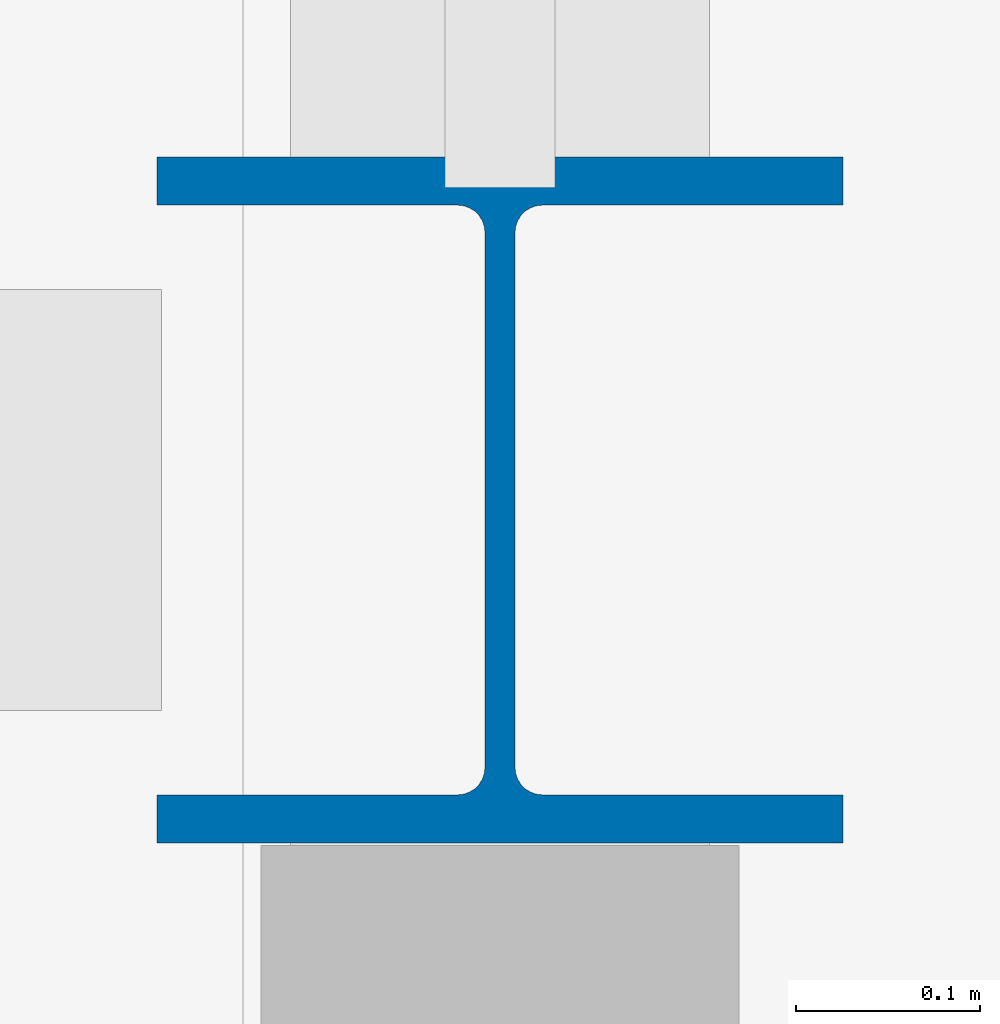
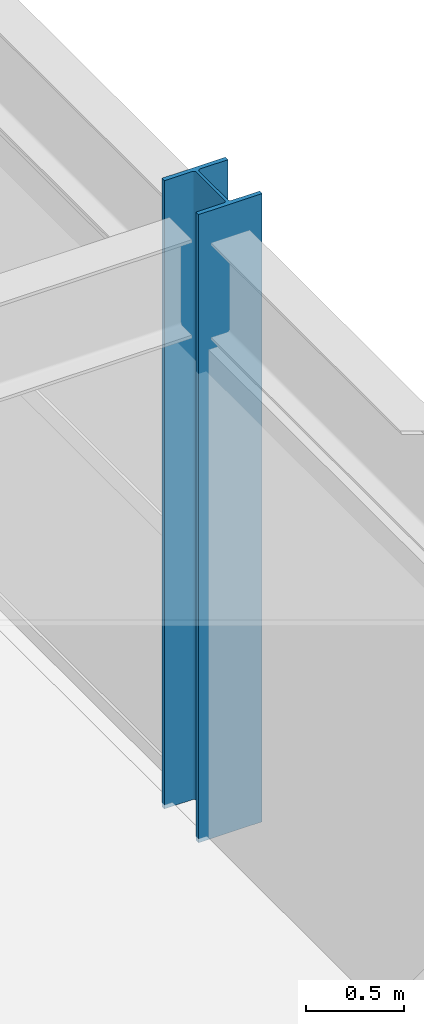
# One storey, part 13 of 93: 1 column.
"""IFC4 building model written with IfcOpenShell, lengths in metres."""

import ifcopenshell
import ifcopenshell.guid

model = None  # the IFC model being written
_history = None  # IfcOwnerHistory: only IFC2X3 demands one
_inside = {}  # id of a spatial element -> (the spatial element, [elements in it])
_under = {}  # id of a project, library or spatial element -> (it, [spatial elements below it])
_declared = {}  # id of a project -> (the project, [libraries it declares])
_typed = {}  # id of a type object -> (the type object, [elements of that type])
_made_of = {}  # id of a material, layer set ... -> (it, [elements and type objects made of it])


def new_model(schema):
    """Start an empty IFC model of exactly this schema.

    Asked for "IFC4X3", IfcOpenShell would pick the latest addendum, in which some entities
    have other attributes; the version numbers below select the first issue.
    IFC2X3 requires an IfcOwnerHistory on every rooted entity: one is made here for all.
    """
    global model, _history
    if schema == "IFC4X3":
        model = ifcopenshell.file(schema_version=(4, 3, 0, 0))
    else:
        model = ifcopenshell.file(schema=schema)
    _inside.clear()
    _under.clear()
    _declared.clear()
    _typed.clear()
    _made_of.clear()
    _history = None
    if model.schema == "IFC2X3":
        org = make("IfcOrganization", Name="unknown")
        user = make(
            "IfcPersonAndOrganization",
            ThePerson=make("IfcPerson", FamilyName="unknown"),
            TheOrganization=org,
        )
        app = make(
            "IfcApplication",
            ApplicationDeveloper=org,
            Version="unknown",
            ApplicationFullName="unknown",
            ApplicationIdentifier="unknown",
        )
        _history = make(
            "IfcOwnerHistory",
            OwningUser=user,
            OwningApplication=app,
            ChangeAction="ADDED",
            CreationDate=0,
        )
    return model


def make(cls, **values):
    """One entity of the class cls with the attributes given. An attribute that is None is left unset."""
    return model.create_entity(
        cls, **{name: value for name, value in values.items() if value is not None}
    )


def rooted(cls, **values):
    """An entity with a GlobalId (a new one), such as an element, a storey or a relation."""
    return make(cls, GlobalId=ifcopenshell.guid.new(), OwnerHistory=_history, **values)


def si_unit(unit_type, name, prefix=None):
    """IfcSIUnit, for example si_unit("LENGTHUNIT", "METRE", prefix="MILLI")."""
    return make("IfcSIUnit", UnitType=unit_type, Prefix=prefix, Name=name)


def assignment(units):
    """IfcUnitAssignment: the units of a project."""
    return None if units is None else make("IfcUnitAssignment", Units=units)


def point(xyz):
    """IfcCartesianPoint."""
    return None if xyz is None else make("IfcCartesianPoint", Coordinates=xyz)


def direction(xyz):
    """IfcDirection."""
    return None if xyz is None else make("IfcDirection", DirectionRatios=xyz)


def frame(location, z_axis=None, x_axis=None):
    """IfcAxis2Placement3D, a coordinate frame: its origin and axes. An axis left out is left unset."""
    return make(
        "IfcAxis2Placement3D",
        Location=point(location),
        Axis=direction(z_axis),
        RefDirection=direction(x_axis),
    )


def frame_2d(location, x_axis=None):
    """IfcAxis2Placement2D, a coordinate frame in the plane: its origin and x axis."""
    return make(
        "IfcAxis2Placement2D", Location=point(location), RefDirection=direction(x_axis)
    )


def origin():
    """The frame at (0, 0, 0) with its axes left unset."""
    return frame((0.0, 0.0, 0.0))


def origin_2d():
    """The frame at (0, 0) in the plane with its x axis left unset."""
    return frame_2d((0.0, 0.0))


def place(relative_to, where):
    """IfcLocalPlacement: puts the frame where relative to a parent placement (None: the world)."""
    return make(
        "IfcLocalPlacement", PlacementRelTo=relative_to, RelativePlacement=where
    )


def context(
    kind, dimensions, precision=None, world=None, true_north=None, identifier=None
):
    """IfcGeometricRepresentationContext, for example the 3D "Model" context."""
    return make(
        "IfcGeometricRepresentationContext",
        ContextIdentifier=identifier,
        ContextType=kind,
        CoordinateSpaceDimension=dimensions,
        Precision=precision,
        WorldCoordinateSystem=world,
        TrueNorth=true_north,
    )


def subcontext(parent, identifier, kind, view, scale=None):
    """IfcGeometricRepresentationSubContext, for example "Body" below "Model"."""
    return make(
        "IfcGeometricRepresentationSubContext",
        ContextIdentifier=identifier,
        ContextType=kind,
        ParentContext=parent,
        TargetScale=scale,
        TargetView=view,
    )


def project(units=None, contexts=None):
    """IfcProject with its units and contexts."""
    return rooted(
        "IfcProject",
        Name="project",
        RepresentationContexts=contexts,
        UnitsInContext=assignment(units),
    )


def spatial(cls, under=None, at=None, **own):
    """A site, building, storey or space (cls), placed at a placement, below another one or the project."""
    s = rooted(cls, ObjectPlacement=at, **own)
    if under is not None:
        _under.setdefault(under.id(), (under, []))[1].append(s)
    return s


def profile(cls, at=None, kind="AREA", **sizes):
    """A parametric profile (cls). Its sizes go by their IFC names, for example OverallWidth=200.0."""
    return make(cls, ProfileType=kind, Position=at, **sizes)


def i_section(**sizes):
    """IfcIShapeProfileDef."""
    return profile("IfcIShapeProfileDef", **sizes)


def extrude(swept, where, along, depth):
    """IfcExtrudedAreaSolid: the profile swept, set in the frame where, extruded along a direction by depth."""
    return make(
        "IfcExtrudedAreaSolid",
        SweptArea=swept,
        Position=where,
        ExtrudedDirection=direction(along),
        Depth=depth,
    )


def shape(context_of_items, identifier, shape_type, items):
    """IfcShapeRepresentation: the items that make up one representation, for example the "Body"."""
    return make(
        "IfcShapeRepresentation",
        ContextOfItems=context_of_items,
        RepresentationIdentifier=identifier,
        RepresentationType=shape_type,
        Items=items,
    )


def material(Name=None, Category=None):
    """IfcMaterial."""
    return make("IfcMaterial", Name=Name, Category=Category)


def material_profile(
    of_material, cross_section, Name=None, Category=None, Priority=None
):
    """IfcMaterialProfile: a cross section and its material."""
    return make(
        "IfcMaterialProfile",
        Name=Name,
        Material=of_material,
        Profile=cross_section,
        Priority=Priority,
        Category=Category,
    )


def profile_set(profiles, Name=None, composite=None):
    """IfcMaterialProfileSet."""
    return make(
        "IfcMaterialProfileSet",
        Name=Name,
        MaterialProfiles=profiles,
        CompositeProfile=composite,
    )


def made_of(thing, what):
    """Note that an element or type object is made of a material, layer set ...; save() writes the relation."""
    if what is not None:
        _made_of.setdefault(what.id(), (what, []))[1].append(thing)
    return thing


def type_object(cls, material=None, **own):
    """A type object (cls), such as IfcWallType, which elements share."""
    return made_of(rooted(cls, **own), material)


def element(
    cls,
    number,
    at=None,
    inside=None,
    cuts=None,
    type_object=None,
    material=None,
    context=None,
    identifier="Body",
    shape_type=None,
    held_by="IfcProductDefinitionShape",
    body=None,
    shapes=None,
    **own,
):
    """One element of the class cls, such as IfcWall. Its Tag is "e" and its number.

    at: its placement. inside: the storey or other place that contains it. cuts: it is an
    opening in that element (IfcRelVoidsElement). A single representation is given by context,
    identifier, shape_type and body (its items); several are given by shapes. held_by: the class
    of the entity that holds the representations. save() writes the other relations.
    """
    e = rooted(cls, Tag="e%d" % number, ObjectPlacement=at, **own)
    if body is not None:
        shapes = [shape(context, identifier, shape_type, body)]
    if shapes is not None:
        e.Representation = make(held_by, Representations=shapes)
    if inside is not None:
        _inside.setdefault(inside.id(), (inside, []))[1].append(e)
    if cuts is not None:
        rooted(
            "IfcRelVoidsElement", RelatingBuildingElement=cuts, RelatedOpeningElement=e
        )
    if type_object is not None:
        _typed.setdefault(type_object.id(), (type_object, []))[1].append(e)
    return made_of(e, material)


def aggregate(whole, parts):
    """IfcRelAggregates: a whole, such as a stair, and the parts it consists of."""
    return rooted("IfcRelAggregates", RelatingObject=whole, RelatedObjects=parts)


def save(model, path):
    """Write the relations noted so far, then the file.

    IfcRelAggregates (storeys below a building ...), IfcRelContainedInSpatialStructure (elements
    in a storey), IfcRelDefinesByType, IfcRelAssociatesMaterial and IfcRelDeclares: one each for
    every whole, place, type object, material and project.
    """
    for whole, parts in _under.values():
        aggregate(whole, parts)
    for where, things in _inside.values():
        rooted(
            "IfcRelContainedInSpatialStructure",
            RelatedElements=things,
            RelatingStructure=where,
        )
    for kind, things in _typed.values():
        rooted("IfcRelDefinesByType", RelatedObjects=things, RelatingType=kind)
    for what, things in _made_of.values():
        rooted("IfcRelAssociatesMaterial", RelatedObjects=things, RelatingMaterial=what)
    for by, libraries in _declared.values():
        rooted("IfcRelDeclares", RelatingContext=by, RelatedDefinitions=libraries)
    model.write(path)


model = new_model("IFC4")

# Units and contexts
model_context = context("Model", 3, precision=1e-05, world=origin(), true_north=direction((0.0, 1.0)))
body_context = subcontext(model_context, "Body", "Model", "MODEL_VIEW")
ifc_project = project(units=[si_unit("LENGTHUNIT", "METRE"), si_unit("AREAUNIT", "SQUARE_METRE"), si_unit("VOLUMEUNIT", "CUBIC_METRE"), si_unit("PLANEANGLEUNIT", "RADIAN"), si_unit("MASSUNIT", "GRAM", prefix="KILO")], contexts=[model_context])

# Site, building, storey
site_placement = place(None, origin())
site = spatial("IfcSite", under=ifc_project, at=site_placement, CompositionType="ELEMENT")
building_placement = place(site_placement, origin())
building = spatial("IfcBuilding", under=site, at=building_placement, Name="Vaelcorin Mobility Hub", CompositionType="ELEMENT")
storey_placement = place(building_placement, frame((0.0, 0.0, 5.39990234375)))
storey = spatial("IfcBuildingStorey", under=building, at=storey_placement, Name="L01", CompositionType="ELEMENT", Elevation=5.39990234375)

# Column
ifc_material = material(Name="Steel ASTM A992 Grade 50", Category="steel")
ifc_material_profile = material_profile(ifc_material, i_section(OverallWidth=0.373046875, OverallDepth=0.373046875, WebThickness=0.016357421875, FlangeThickness=0.026123046875, FilletRadius=0.014892578125, at=origin_2d()), Name="W14X132")
ifc_profile_set = profile_set([ifc_material_profile], Name="Steel ASTM A992 Grade 50")
column_type = type_object("IfcColumnType", Name="COL-W14X132", PredefinedType="COLUMN", material=ifc_profile_set)
column_placement = place(storey_placement, frame((204.0, 60.0, 0.0), z_axis=(0.0, 0.0, 1.0), x_axis=(1.0, 0.0, 0.0)))
element("IfcColumn", 1, at=column_placement, inside=storey, type_object=column_type, Name="Column V5-X08Y08 L01", PredefinedType="COLUMN", context=body_context, shape_type="SweptSolid", body=[
    extrude(i_section(OverallWidth=0.373046875, OverallDepth=0.373046875, WebThickness=0.016357421875, FlangeThickness=0.026123046875, FilletRadius=0.014892578125, at=origin_2d()), origin(), (0.0, 0.0, 1.0), 3.900146484375),
])

save(model, "model.ifc")
